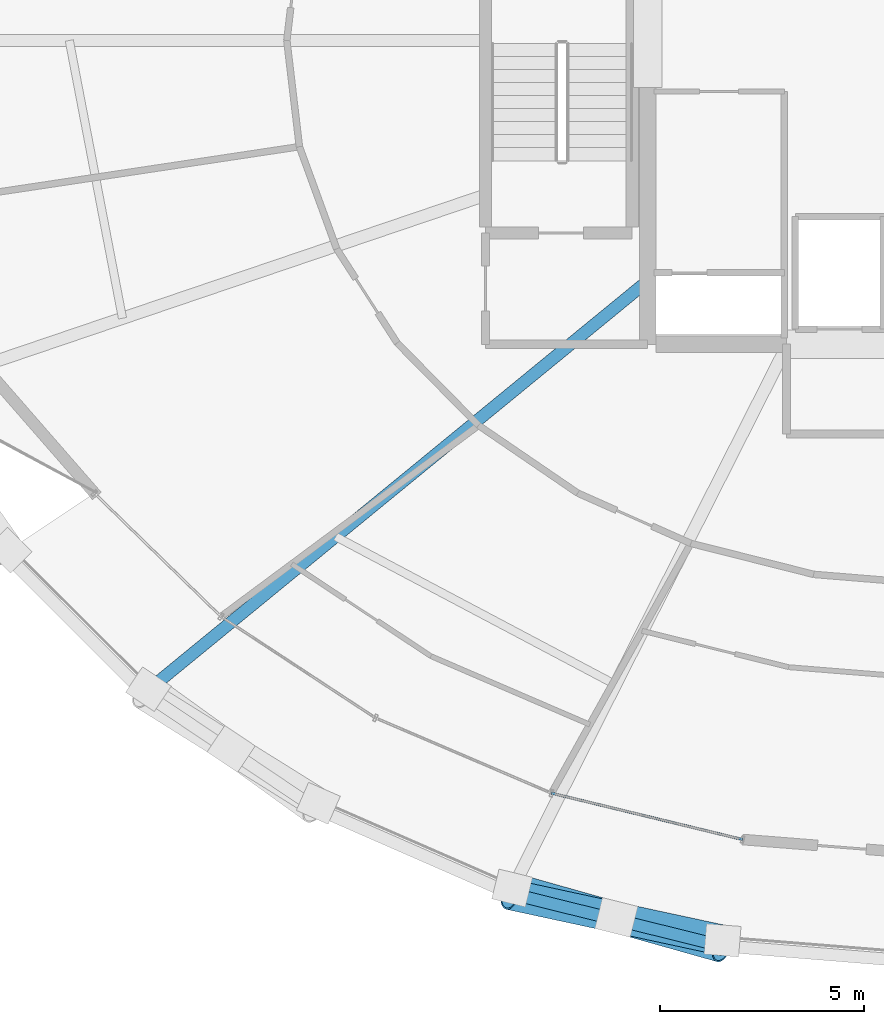
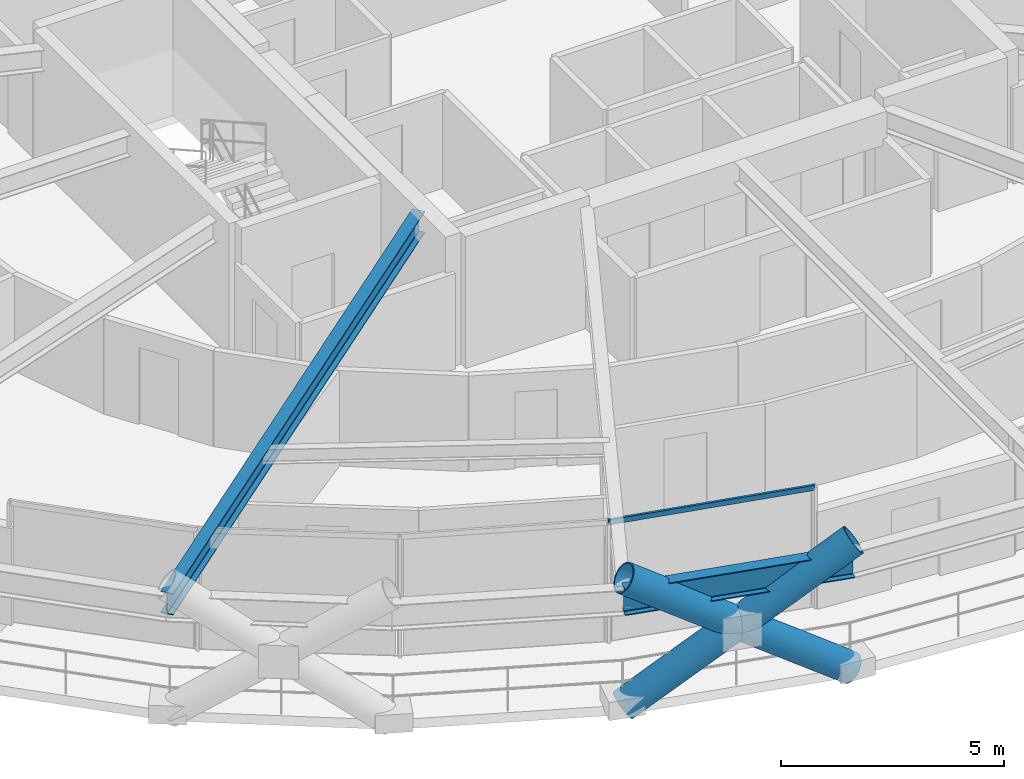
# One storey, part 3 of 17: 4 members, 2 beams, 1 element without a shape of its own.
"""IFC4 building model written with IfcOpenShell, lengths in metres."""

from ifc_helpers import new_model, si_unit, direction, frame, origin, origin_2d, place, context, subcontext, project, spatial, hollow_rectangle, hollow_circle, i_section, extrude, material, layer, layer_set, material_profile, profile_set, type_object, element, aggregate, save


model = new_model("IFC4")

# Units and contexts
model_context = context("Model", 3, precision=1e-05, world=origin(), true_north=direction((0.0, 1.0)))
body_context = subcontext(model_context, "Body", "Model", "MODEL_VIEW")
ifc_project = project(units=[si_unit("LENGTHUNIT", "METRE"), si_unit("AREAUNIT", "SQUARE_METRE"), si_unit("VOLUMEUNIT", "CUBIC_METRE"), si_unit("PLANEANGLEUNIT", "RADIAN"), si_unit("MASSUNIT", "GRAM", prefix="KILO")], contexts=[model_context])

# Site, building, storey
site_placement = place(None, origin())
site = spatial("IfcSite", under=ifc_project, at=site_placement, CompositionType="ELEMENT")
building_placement = place(site_placement, origin())
building = spatial("IfcBuilding", under=site, at=building_placement, Name="Veldorina Hangang Commons", CompositionType="ELEMENT")
storey_placement = place(building_placement, frame((0.0, 0.0, 30.39990234375)))
storey = spatial("IfcBuildingStorey", under=building, at=storey_placement, Name="L06", CompositionType="ELEMENT", Elevation=30.39990234375)

# Beams
ifc_material_1 = material(Name="Steel SM460-TMC", Category="steel")
ifc_material_profile_1 = material_profile(ifc_material_1, i_section(OverallWidth=0.300048828125, OverallDepth=0.587890625, WebThickness=0.011962890625, FlangeThickness=0.02001953125, FilletRadius=0.01806640625, at=origin_2d()), Name="H-588x300x12x20")
ifc_profile_set_1 = profile_set([ifc_material_profile_1], Name="Steel SM460-TMC")
beam_type_1 = type_object("IfcBeamType", Name="BM-FG588", PredefinedType="BEAM", material=ifc_profile_set_1)
beam_1_placement = place(storey_placement, frame((24.800048828125, 18.1025390625, 3.046142578125), z_axis=(-0.773611564766, -0.633660119354, 0.0), x_axis=(0.633660119354, -0.773611564766, 0.0)))
element("IfcBeam", 1, at=beam_1_placement, inside=storey, type_object=beam_type_1, Name="L06 radial floor girder 11", PredefinedType="BEAM", context=body_context, shape_type="SweptSolid", body=[
    extrude(i_section(OverallWidth=0.300048828125, OverallDepth=0.587890625, WebThickness=0.011962890625, FlangeThickness=0.02001953125, FilletRadius=0.01806640625, at=origin_2d()), origin(), (0.0, 0.0, 1.0), 15.95654296875),
])
ifc_material_profile_2 = material_profile(ifc_material_1, i_section(OverallWidth=0.300048828125, OverallDepth=0.699951171875, WebThickness=0.012939453125, FlangeThickness=0.02392578125, FilletRadius=0.02197265625, at=origin_2d()), Name="H-700x300x13x24")
ifc_profile_set_2 = profile_set([ifc_material_profile_2], Name="Steel SM460-TMC")
beam_type_2 = type_object("IfcBeamType", Name="BM-RB700", PredefinedType="BEAM", material=ifc_profile_set_2)
beam_2_placement = place(storey_placement, frame((21.4228515625, 3.083984375, 2.989990234375), z_axis=(0.970490932958, -0.241137614334, 0.0), x_axis=(0.241137614334, 0.970490932958, 0.0)))
element("IfcBeam", 2, at=beam_2_placement, inside=storey, type_object=beam_type_2, Name="L06 perimeter hoop ring beam 22", PredefinedType="BEAM", context=body_context, shape_type="SweptSolid", body=[
    extrude(i_section(OverallWidth=0.300048828125, OverallDepth=0.699951171875, WebThickness=0.012939453125, FlangeThickness=0.02392578125, FilletRadius=0.02197265625, at=origin_2d()), origin(), (0.0, 0.0, 1.0), 5.3427734375),
])

# Curtain wall, member
ifc_material_2 = material(Name="Glass Low-E Triple IGU", Category="glass")
ifc_layer = layer(ifc_material_2, 0.179931640625)
ifc_layer_set = layer_set([ifc_layer], Name="Glass Low-E Triple IGU")
curtain_wall_type = type_object("IfcCurtainWallType", Name="CW-SYS-Z1", PredefinedType="NOTDEFINED", material=ifc_layer_set)
curtain_wall_placement = place(storey_placement, origin())
curtain_wall = element("IfcCurtainWall", 3, at=curtain_wall_placement, inside=storey, type_object=curtain_wall_type, Name="L06 unitised curtain wall CW-L06-R1", PredefinedType="NOTDEFINED")
ifc_material_3 = material(Name="Aluminium Anodized AA6063-T6", Category="aluminium")
ifc_material_profile_3 = material_profile(ifc_material_3, hollow_rectangle(XDim=0.06005859375, YDim=0.139892578125, WallThickness=0.00341796875, at=origin_2d()), Name="ALU-RHS-140x60x3.5")
ifc_profile_set_3 = profile_set([ifc_material_profile_3], Name="Aluminium Anodized AA6063-T6")
member_type_1 = type_object("IfcMemberType", Name="CW-TRN-140", PredefinedType="USERDEFINED", material=ifc_profile_set_3)
member_1_placement = place(storey_placement, frame((22.440673828125, 5.541015625, 3.260009765625), z_axis=(0.971793167931, -0.235834770044, 0.0), x_axis=(0.235834770044, 0.971793167931, 0.0)))
member_1 = element("IfcMember", 4, at=member_1_placement, type_object=member_type_1, Name="CW-L06-R1 facet 4 transom 1", ObjectType="TRANSOM", PredefinedType="USERDEFINED", context=body_context, shape_type="SweptSolid", body=[
    extrude(hollow_rectangle(XDim=0.06005859375, YDim=0.139892578125, WallThickness=0.00341796875, at=origin_2d()), origin(), (0.0, 0.0, 1.0), 4.822021484375),
])
aggregate(curtain_wall, [member_1])

# Members
ifc_material_profile_4 = material_profile(ifc_material_1, hollow_circle(Radius=0.375, WallThickness=0.035888671875, at=origin_2d()), Name="CHS-750x36")
ifc_profile_set_4 = profile_set([ifc_material_profile_4], Name="Steel SM460-TMC")
member_type_2 = type_object("IfcMemberType", Name="DG-CHS750", PredefinedType="BRACE", material=ifc_profile_set_4)
member_2_placement = place(storey_placement, frame((21.476318359375, 3.212646484375, 0.0), z_axis=(0.797393129927, -0.224793767195, 0.560028533716), x_axis=(0.271334950511, 0.962484984107, 0.0)))
element("IfcMember", 5, at=member_2_placement, inside=storey, type_object=member_type_2, Name="L06 continuous perimeter diagrid brace 22", PredefinedType="BRACE", context=body_context, shape_type="SweptSolid", body=[
    extrude(hollow_circle(Radius=0.375, WallThickness=0.035888671875, at=origin_2d()), origin(), (0.0, 0.0, 1.0), 6.428466796875),
])
member_3_placement = place(storey_placement, frame((26.635009765625, 1.932373046875, 0.0), z_axis=(-0.810720796511, 0.17439924111, 0.558853017175), x_axis=(-0.210305364179, -0.977635746993, 0.0)))
element("IfcMember", 6, at=member_3_placement, inside=storey, type_object=member_type_2, Name="L06 split perimeter diagrid lower brace 23", PredefinedType="BRACE", context=body_context, shape_type="SweptSolid", body=[
    extrude(hollow_circle(Radius=0.375, WallThickness=0.035888671875, at=origin_2d()), origin(), (0.0, 0.0, 1.0), 3.21142578125),
])
member_4_placement = place(storey_placement, frame((24.031494140625, 2.492431640625, 1.794677734375), z_axis=(-0.810673318207, 0.174919259171, 0.55875936137), x_axis=(-0.210916394997, -0.977504104504, 0.0)))
element("IfcMember", 7, at=member_4_placement, inside=storey, type_object=member_type_2, Name="L06 split perimeter diagrid upper brace 23", PredefinedType="BRACE", context=body_context, shape_type="SweptSolid", body=[
    extrude(hollow_circle(Radius=0.375, WallThickness=0.035888671875, at=origin_2d()), origin(), (0.0, 0.0, 1.0), 3.231201171875),
])

save(model, "model.ifc")
